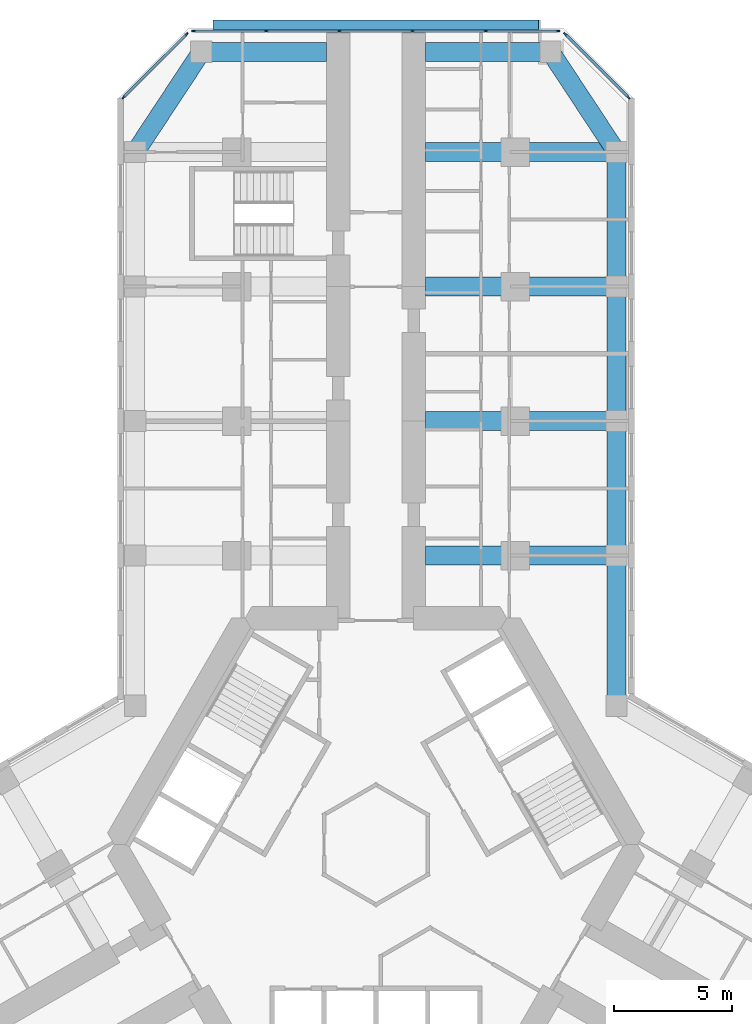
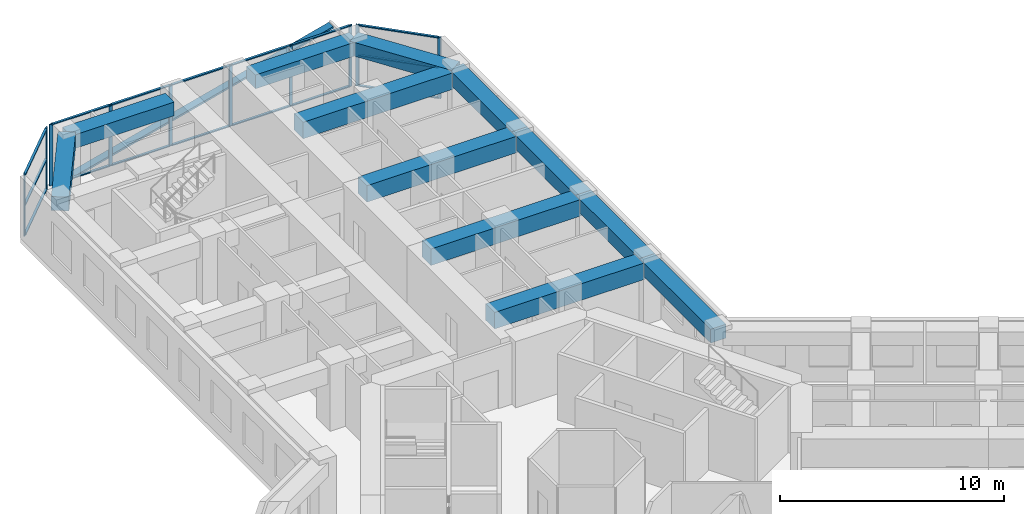
# One storey, part 7 of 21: 27 members, 12 beams, 3 elements without a shape of their own.
"""IFC4 building model written with IfcOpenShell, lengths in metres."""

from ifc_helpers import new_model, si_unit, direction, frame, origin, origin_2d, place, context, subcontext, project, spatial, rectangle, extrude, material, material_profile, profile_set, type_object, element, aggregate, save


model = new_model("IFC4")

# Units and contexts
model_context = context("Model", 3, precision=1e-05, world=origin(), true_north=direction((0.0, 1.0)))
body_context = subcontext(model_context, "Body", "Model", "MODEL_VIEW")
ifc_project = project(units=[si_unit("LENGTHUNIT", "METRE"), si_unit("AREAUNIT", "SQUARE_METRE"), si_unit("VOLUMEUNIT", "CUBIC_METRE"), si_unit("PLANEANGLEUNIT", "RADIAN"), si_unit("MASSUNIT", "GRAM", prefix="KILO")], contexts=[model_context])

# Site, building, storey
site_placement = place(None, origin())
site = spatial("IfcSite", under=ifc_project, at=site_placement, CompositionType="ELEMENT")
building_placement = place(site_placement, origin())
building = spatial("IfcBuilding", under=site, at=building_placement, Name="Kosmar Iwan School Tower", CompositionType="ELEMENT")
storey_placement = place(building_placement, frame((0.0, 0.0, 88.0)))
storey = spatial("IfcBuildingStorey", under=building, at=storey_placement, Name="L21", CompositionType="ELEMENT", Elevation=88.0)

# Member
ifc_material_1 = material(Name="Black anodised aluminium", Category="aluminium")
ifc_material_profile_1 = material_profile(ifc_material_1, rectangle(XDim=0.10009765625, YDim=0.39990234375, at=origin_2d()), Name="FIN 100x400")
ifc_profile_set_1 = profile_set([ifc_material_profile_1], Name="Black anodised aluminium")
member_type_1 = type_object("IfcMemberType", Name="Diagonal fin 100x400", PredefinedType="USERDEFINED", material=ifc_profile_set_1)
member_1_placement = place(storey_placement, frame((-6.898193359375, 34.75, -0.14990234375), z_axis=(0.967603633438, 0.0, 0.252474174041), x_axis=(-0.252474174041, 0.0, 0.967603633438)))
element("IfcMember", 1, at=member_1_placement, inside=storey, type_object=member_type_1, Name="Diagonal fin L21-F08", ObjectType="FIN", PredefinedType="USERDEFINED", context=body_context, shape_type="SweptSolid", body=[
    extrude(rectangle(XDim=0.10009765625, YDim=0.39990234375, at=origin_2d()), origin(), (0.0, 0.0, 1.0), 14.25830078125),
])

# Curtain wall, members
ifc_material_2 = material(Name="Dark glass in black aluminium frame", Category="aluminium")
curtain_wall_type_1 = type_object("IfcCurtainWallType", Name="Chamfer curtain wall dark glass", PredefinedType="USERDEFINED", material=ifc_material_2)
curtain_wall_1_placement = place(storey_placement, origin())
curtain_wall_1 = element("IfcCurtainWall", 2, at=curtain_wall_1_placement, inside=storey, type_object=curtain_wall_type_1, Name="Curtain wall L21-F07", ObjectType="FACETED CURTAIN WALL", PredefinedType="USERDEFINED")
ifc_material_3 = material(Name="Black anodised aluminium", Category="aluminium")
ifc_material_profile_2 = material_profile(ifc_material_3, rectangle(XDim=0.06005859375, YDim=0.159912109375, at=origin_2d()), Name="MULLION 60x160")
ifc_profile_set_2 = profile_set([ifc_material_profile_2], Name="Black anodised aluminium")
member_type_2 = type_object("IfcMemberType", Name="Mullion 60x160", PredefinedType="MULLION", material=ifc_profile_set_2)
member_2_placement = place(storey_placement, frame((10.69775390625, 31.675537109375, 0.0), z_axis=(0.0, 0.0, 1.0), x_axis=(-0.707106781187, -0.707106781187, 0.0)))
member_2 = element("IfcMember", 3, at=member_2_placement, type_object=member_type_2, Name="CW2 mullion 1", PredefinedType="MULLION", context=body_context, shape_type="SweptSolid", body=[
    extrude(rectangle(XDim=0.06005859375, YDim=0.159912109375, at=origin_2d()), origin(), (0.0, 0.0, 1.0), 3.35009765625),
])
member_3_placement = place(storey_placement, frame((8.025390625, 34.34765625, 0.0), z_axis=(0.0, 0.0, 1.0), x_axis=(-0.707106781187, -0.707106781187, 0.0)))
member_3 = element("IfcMember", 4, at=member_3_placement, type_object=member_type_2, Name="CW2 mullion 2", PredefinedType="MULLION", context=body_context, shape_type="SweptSolid", body=[
    extrude(rectangle(XDim=0.06005859375, YDim=0.159912109375, at=origin_2d()), origin(), (0.0, 0.0, 1.0), 3.35009765625),
])

ifc_material_4 = material(Name="Dark glass in black aluminium frame", Category="aluminium")
curtain_wall_type_2 = type_object("IfcCurtainWallType", Name="Tower curtain wall dark glass", PredefinedType="USERDEFINED", material=ifc_material_4)
curtain_wall_2_placement = place(storey_placement, origin())
curtain_wall_2 = element("IfcCurtainWall", 5, at=curtain_wall_2_placement, inside=storey, type_object=curtain_wall_type_2, Name="Curtain wall L21-F08", ObjectType="UNITISED CURTAIN WALL", PredefinedType="USERDEFINED")
member_4_placement = place(storey_placement, frame((7.71826171875, 34.47509765625, 0.0), z_axis=(0.0, 0.0, 1.0), x_axis=(0.0, -1.0, 0.0)))
member_4 = element("IfcMember", 6, at=member_4_placement, type_object=member_type_2, Name="CW1 mullion 1", PredefinedType="MULLION", context=body_context, shape_type="SweptSolid", body=[
    extrude(rectangle(XDim=0.06005859375, YDim=0.159912109375, at=origin_2d()), origin(), (0.0, 0.0, 1.0), 3.35009765625),
])
member_5_placement = place(storey_placement, frame((4.64892578125, 34.47509765625, 0.0), z_axis=(0.0, 0.0, 1.0), x_axis=(0.0, -1.0, 0.0)))
member_5 = element("IfcMember", 7, at=member_5_placement, type_object=member_type_2, Name="CW1 mullion 2", PredefinedType="MULLION", context=body_context, shape_type="SweptSolid", body=[
    extrude(rectangle(XDim=0.06005859375, YDim=0.159912109375, at=origin_2d()), origin(), (0.0, 0.0, 1.0), 3.35009765625),
])
member_6_placement = place(storey_placement, frame((1.549560546875, 34.47509765625, 0.0), z_axis=(0.0, 0.0, 1.0), x_axis=(0.0, -1.0, 0.0)))
member_6 = element("IfcMember", 8, at=member_6_placement, type_object=member_type_2, Name="CW1 mullion 3", PredefinedType="MULLION", context=body_context, shape_type="SweptSolid", body=[
    extrude(rectangle(XDim=0.06005859375, YDim=0.159912109375, at=origin_2d()), origin(), (0.0, 0.0, 1.0), 3.35009765625),
])
member_7_placement = place(storey_placement, frame((-1.549560546875, 34.47509765625, 0.0), z_axis=(0.0, 0.0, 1.0), x_axis=(0.0, -1.0, 0.0)))
member_7 = element("IfcMember", 9, at=member_7_placement, type_object=member_type_2, Name="CW1 mullion 4", PredefinedType="MULLION", context=body_context, shape_type="SweptSolid", body=[
    extrude(rectangle(XDim=0.06005859375, YDim=0.159912109375, at=origin_2d()), origin(), (0.0, 0.0, 1.0), 3.35009765625),
])
member_8_placement = place(storey_placement, frame((-4.64892578125, 34.47509765625, 0.0), z_axis=(0.0, 0.0, 1.0), x_axis=(0.0, -1.0, 0.0)))
member_8 = element("IfcMember", 10, at=member_8_placement, type_object=member_type_2, Name="CW1 mullion 5", PredefinedType="MULLION", context=body_context, shape_type="SweptSolid", body=[
    extrude(rectangle(XDim=0.06005859375, YDim=0.159912109375, at=origin_2d()), origin(), (0.0, 0.0, 1.0), 3.35009765625),
])
member_9_placement = place(storey_placement, frame((-7.71826171875, 34.47509765625, 0.0), z_axis=(0.0, 0.0, 1.0), x_axis=(0.0, -1.0, 0.0)))
member_9 = element("IfcMember", 11, at=member_9_placement, type_object=member_type_2, Name="CW1 mullion 6", PredefinedType="MULLION", context=body_context, shape_type="SweptSolid", body=[
    extrude(rectangle(XDim=0.06005859375, YDim=0.159912109375, at=origin_2d()), origin(), (0.0, 0.0, 1.0), 3.35009765625),
])

curtain_wall_3_placement = place(storey_placement, origin())
curtain_wall_3 = element("IfcCurtainWall", 12, at=curtain_wall_3_placement, inside=storey, type_object=curtain_wall_type_1, Name="Curtain wall L21-F09", ObjectType="FACETED CURTAIN WALL", PredefinedType="USERDEFINED")
member_10_placement = place(storey_placement, frame((-8.025390625, 34.34765625, 0.0), z_axis=(0.0, 0.0, 1.0), x_axis=(0.707106781187, -0.707106781187, 0.0)))
member_10 = element("IfcMember", 13, at=member_10_placement, type_object=member_type_2, Name="CW2 mullion 1", PredefinedType="MULLION", context=body_context, shape_type="SweptSolid", body=[
    extrude(rectangle(XDim=0.06005859375, YDim=0.159912109375, at=origin_2d()), origin(), (0.0, 0.0, 1.0), 3.35009765625),
])
member_11_placement = place(storey_placement, frame((-10.69775390625, 31.675537109375, 0.0), z_axis=(0.0, 0.0, 1.0), x_axis=(0.707106781187, -0.707106781187, 0.0)))
member_11 = element("IfcMember", 14, at=member_11_placement, type_object=member_type_2, Name="CW2 mullion 2", PredefinedType="MULLION", context=body_context, shape_type="SweptSolid", body=[
    extrude(rectangle(XDim=0.06005859375, YDim=0.159912109375, at=origin_2d()), origin(), (0.0, 0.0, 1.0), 3.35009765625),
])

# Beams
ifc_material_5 = material(Name="Concrete C50/60", Category="concrete")
ifc_material_profile_3 = material_profile(ifc_material_5, rectangle(XDim=0.800048828125, YDim=0.75, at=origin_2d()), Name="RC 800x750")
ifc_profile_set_3 = profile_set([ifc_material_profile_3], Name="Concrete C50/60")
beam_type_1 = type_object("IfcBeamType", Name="RC edge beam 800x750", PredefinedType="BEAM", material=ifc_profile_set_3)
beam_1_placement = place(storey_placement, frame((10.199951171875, 5.888916015625, 2.97509765625), z_axis=(0.0, 1.0, 0.0), x_axis=(-1.0, 0.0, 0.0)))
element("IfcBeam", 15, at=beam_1_placement, inside=storey, type_object=beam_type_1, Name="Edge beam AR1", PredefinedType="BEAM", context=body_context, shape_type="SweptSolid", body=[
    extrude(rectangle(XDim=0.800048828125, YDim=0.75, at=origin_2d()), origin(), (0.0, 0.0, 1.0), 6.361083984375),
])
for number, where, z_axis, x_axis, name in (
    (16, (10.199951171875, 12.25, 2.97509765625), (0.0, 1.0, 0.0), (-1.0, 0.0, 0.0), "Edge beam AR2"),
    (17, (10.199951171875, 17.949951171875, 2.97509765625), (0.0, 1.0, 0.0), (-1.0, 0.0, 0.0), "Edge beam AR3"),
):
    element("IfcBeam", number, at=place(storey_placement, frame(where, z_axis=z_axis, x_axis=x_axis)), inside=storey, type_object=beam_type_1, Name=name, PredefinedType="BEAM", context=body_context, shape_type="SweptSolid", body=[
        extrude(rectangle(XDim=0.800048828125, YDim=0.75, at=origin_2d()), origin(), (0.0, 0.0, 1.0), 5.699951171875),
    ])
beam_2_placement = place(storey_placement, frame((10.199951171875, 23.64990234375, 2.97509765625), z_axis=(0.0, 1.0, 0.0), x_axis=(-1.0, 0.0, 0.0)))
element("IfcBeam", 18, at=beam_2_placement, inside=storey, type_object=beam_type_1, Name="Edge beam AR4", PredefinedType="BEAM", context=body_context, shape_type="SweptSolid", body=[
    extrude(rectangle(XDim=0.800048828125, YDim=0.75, at=origin_2d()), origin(), (0.0, 0.0, 1.0), 5.7001953125),
])
ifc_material_6 = material(Name="Concrete C50/60", Category="concrete")
ifc_material_profile_4 = material_profile(ifc_material_6, rectangle(XDim=0.800048828125, YDim=0.75, at=origin_2d()), Name="RC 800x750")
ifc_profile_set_4 = profile_set([ifc_material_profile_4], Name="Concrete C50/60")
beam_type_2 = type_object("IfcBeamType", Name="RC tip beam 800x750", PredefinedType="BEAM", material=ifc_profile_set_4)
beam_3_placement = place(storey_placement, frame((-10.199951171875, 29.35009765625, 2.97509765625), z_axis=(0.550164383043, 0.835056376319, 0.0), x_axis=(-0.835056376319, 0.550164383043, 0.0)))
element("IfcBeam", 19, at=beam_3_placement, inside=storey, type_object=beam_type_2, Name="Tip beam AL", PredefinedType="BEAM", context=body_context, shape_type="SweptSolid", body=[
    extrude(rectangle(XDim=0.800048828125, YDim=0.75, at=origin_2d()), origin(), (0.0, 0.0, 1.0), 5.08935546875),
])
beam_4_placement = place(storey_placement, frame((-7.39990234375, 33.60009765625, 2.97509765625), z_axis=(1.0, 0.0, 0.0), x_axis=(0.0, 1.0, 0.0)))
element("IfcBeam", 20, at=beam_4_placement, inside=storey, type_object=beam_type_2, Name="Tip beam AL to corridor wall", PredefinedType="BEAM", context=body_context, shape_type="SweptSolid", body=[
    extrude(rectangle(XDim=0.800048828125, YDim=0.75, at=origin_2d()), origin(), (0.0, 0.0, 1.0), 5.2998046875),
])
beam_5_placement = place(storey_placement, frame((10.199951171875, 29.35009765625, 2.97509765625), z_axis=(-0.550164383043, 0.835056376319, 0.0), x_axis=(-0.835056376319, -0.550164383043, 0.0)))
element("IfcBeam", 21, at=beam_5_placement, inside=storey, type_object=beam_type_2, Name="Tip beam AR", PredefinedType="BEAM", context=body_context, shape_type="SweptSolid", body=[
    extrude(rectangle(XDim=0.800048828125, YDim=0.75, at=origin_2d()), origin(), (0.0, 0.0, 1.0), 5.08935546875),
])
beam_6_placement = place(storey_placement, frame((7.39990234375, 33.60009765625, 2.97509765625), z_axis=(-1.0, 0.0, 0.0), x_axis=(0.0, -1.0, 0.0)))
element("IfcBeam", 22, at=beam_6_placement, inside=storey, type_object=beam_type_2, Name="Tip beam AR to corridor wall", PredefinedType="BEAM", context=body_context, shape_type="SweptSolid", body=[
    extrude(rectangle(XDim=0.800048828125, YDim=0.75, at=origin_2d()), origin(), (0.0, 0.0, 1.0), 5.2998046875),
])
ifc_material_7 = material(Name="Concrete C50/60", Category="concrete")
ifc_material_profile_5 = material_profile(ifc_material_7, rectangle(XDim=0.800048828125, YDim=0.89990234375, at=origin_2d()), Name="RC 800x900")
ifc_profile_set_5 = profile_set([ifc_material_profile_5], Name="Concrete C50/60")
beam_type_3 = type_object("IfcBeamType", Name="RC transverse beam 800x900", PredefinedType="BEAM", material=ifc_profile_set_5)
for number, where, z_axis, x_axis, name in (
    (23, (10.199951171875, 12.25, 2.89990234375), (-1.0, 0.0, 0.0), (0.0, -1.0, 0.0), "Transverse beam AR1"),
    (24, (10.199951171875, 17.949951171875, 2.89990234375), (-1.0, 0.0, 0.0), (0.0, -1.0, 0.0), "Transverse beam AR2"),
    (25, (10.199951171875, 23.64990234375, 2.89990234375), (-1.0, 0.0, 0.0), (0.0, -1.0, 0.0), "Transverse beam AR3"),
    (26, (10.199951171875, 29.35009765625, 2.89990234375), (-1.0, 0.0, 0.0), (0.0, -1.0, 0.0), "Transverse beam AR4"),
):
    element("IfcBeam", number, at=place(storey_placement, frame(where, z_axis=z_axis, x_axis=x_axis)), inside=storey, type_object=beam_type_3, Name=name, PredefinedType="BEAM", context=body_context, shape_type="SweptSolid", body=[
        extrude(rectangle(XDim=0.800048828125, YDim=0.89990234375, at=origin_2d()), origin(), (0.0, 0.0, 1.0), 8.099853515625),
    ])

# Member
ifc_material_8 = material(Name="Black anodised aluminium", Category="aluminium")
ifc_material_profile_6 = material_profile(ifc_material_8, rectangle(XDim=0.1201171875, YDim=0.06005859375, at=origin_2d()), Name="TRANSOM 60x120")
ifc_profile_set_6 = profile_set([ifc_material_profile_6], Name="Black anodised aluminium")
member_type_3 = type_object("IfcMemberType", Name="Transom 60x120", PredefinedType="USERDEFINED", material=ifc_profile_set_6)
member_12_placement = place(storey_placement, frame((10.676513671875, 31.69677734375, 0.030029296875), z_axis=(-0.707139603466, 0.707073957383, 0.0), x_axis=(-0.707073957383, -0.707139603466, 0.0)))
member_12 = element("IfcMember", 27, at=member_12_placement, type_object=member_type_3, Name="CW2 transom 1.1", ObjectType="TRANSOM", PredefinedType="USERDEFINED", context=body_context, shape_type="SweptSolid", body=[
    extrude(rectangle(XDim=0.1201171875, YDim=0.06005859375, at=origin_2d()), origin(), (0.0, 0.0, 1.0), 3.718994140625),
])

member_13_placement = place(storey_placement, frame((10.676513671875, 31.69677734375, 1.675048828125), z_axis=(-0.707139603466, 0.707073957383, 0.0), x_axis=(-0.707073957383, -0.707139603466, 0.0)))
member_13 = element("IfcMember", 28, at=member_13_placement, type_object=member_type_3, Name="CW2 transom 1.2", ObjectType="TRANSOM", PredefinedType="USERDEFINED", context=body_context, shape_type="SweptSolid", body=[
    extrude(rectangle(XDim=0.1201171875, YDim=0.06005859375, at=origin_2d()), origin(), (0.0, 0.0, 1.0), 3.718994140625),
])

member_14_placement = place(storey_placement, frame((10.676513671875, 31.69677734375, 3.320068359375), z_axis=(-0.707139603466, 0.707073957383, 0.0), x_axis=(-0.707073957383, -0.707139603466, 0.0)))
member_14 = element("IfcMember", 29, at=member_14_placement, type_object=member_type_3, Name="CW2 transom 1.3", ObjectType="TRANSOM", PredefinedType="USERDEFINED", context=body_context, shape_type="SweptSolid", body=[
    extrude(rectangle(XDim=0.1201171875, YDim=0.06005859375, at=origin_2d()), origin(), (0.0, 0.0, 1.0), 3.718994140625),
])

aggregate(curtain_wall_1, [member_2, member_3, member_12, member_13, member_14])

member_15_placement = place(storey_placement, frame((7.688232421875, 34.47509765625, 0.030029296875), z_axis=(-1.0, 0.0, 0.0), x_axis=(0.0, -1.0, 0.0)))
member_15 = element("IfcMember", 30, at=member_15_placement, type_object=member_type_3, Name="CW1 transom 1.1", ObjectType="TRANSOM", PredefinedType="USERDEFINED", context=body_context, shape_type="SweptSolid", body=[
    extrude(rectangle(XDim=0.1201171875, YDim=0.06005859375, at=origin_2d()), origin(), (0.0, 0.0, 1.0), 3.00927734375),
])

member_16_placement = place(storey_placement, frame((7.688232421875, 34.47509765625, 3.320068359375), z_axis=(-1.0, 0.0, 0.0), x_axis=(0.0, -1.0, 0.0)))
member_16 = element("IfcMember", 31, at=member_16_placement, type_object=member_type_3, Name="CW1 transom 1.2", ObjectType="TRANSOM", PredefinedType="USERDEFINED", context=body_context, shape_type="SweptSolid", body=[
    extrude(rectangle(XDim=0.1201171875, YDim=0.06005859375, at=origin_2d()), origin(), (0.0, 0.0, 1.0), 3.00927734375),
])

member_17_placement = place(storey_placement, frame((4.618896484375, 34.47509765625, 0.030029296875), z_axis=(-1.0, 0.0, 0.0), x_axis=(0.0, -1.0, 0.0)))
member_17 = element("IfcMember", 32, at=member_17_placement, type_object=member_type_3, Name="CW1 transom 2.1", ObjectType="TRANSOM", PredefinedType="USERDEFINED", context=body_context, shape_type="SweptSolid", body=[
    extrude(rectangle(XDim=0.1201171875, YDim=0.06005859375, at=origin_2d()), origin(), (0.0, 0.0, 1.0), 3.039306640625),
])

member_18_placement = place(storey_placement, frame((4.618896484375, 34.47509765625, 3.320068359375), z_axis=(-1.0, 0.0, 0.0), x_axis=(0.0, -1.0, 0.0)))
member_18 = element("IfcMember", 33, at=member_18_placement, type_object=member_type_3, Name="CW1 transom 2.2", ObjectType="TRANSOM", PredefinedType="USERDEFINED", context=body_context, shape_type="SweptSolid", body=[
    extrude(rectangle(XDim=0.1201171875, YDim=0.06005859375, at=origin_2d()), origin(), (0.0, 0.0, 1.0), 3.039306640625),
])

member_19_placement = place(storey_placement, frame((1.51953125, 34.47509765625, 0.030029296875), z_axis=(-1.0, 0.0, 0.0), x_axis=(0.0, -1.0, 0.0)))
member_19 = element("IfcMember", 34, at=member_19_placement, type_object=member_type_3, Name="CW1 transom 3.1", ObjectType="TRANSOM", PredefinedType="USERDEFINED", context=body_context, shape_type="SweptSolid", body=[
    extrude(rectangle(XDim=0.1201171875, YDim=0.06005859375, at=origin_2d()), origin(), (0.0, 0.0, 1.0), 3.0390625),
])

member_20_placement = place(storey_placement, frame((1.51953125, 34.47509765625, 3.320068359375), z_axis=(-1.0, 0.0, 0.0), x_axis=(0.0, -1.0, 0.0)))
member_20 = element("IfcMember", 35, at=member_20_placement, type_object=member_type_3, Name="CW1 transom 3.2", ObjectType="TRANSOM", PredefinedType="USERDEFINED", context=body_context, shape_type="SweptSolid", body=[
    extrude(rectangle(XDim=0.1201171875, YDim=0.06005859375, at=origin_2d()), origin(), (0.0, 0.0, 1.0), 3.0390625),
])

member_21_placement = place(storey_placement, frame((-1.57958984375, 34.47509765625, 0.030029296875), z_axis=(-1.0, 0.0, 0.0), x_axis=(0.0, -1.0, 0.0)))
member_21 = element("IfcMember", 36, at=member_21_placement, type_object=member_type_3, Name="CW1 transom 4.1", ObjectType="TRANSOM", PredefinedType="USERDEFINED", context=body_context, shape_type="SweptSolid", body=[
    extrude(rectangle(XDim=0.1201171875, YDim=0.06005859375, at=origin_2d()), origin(), (0.0, 0.0, 1.0), 3.039306640625),
])

member_22_placement = place(storey_placement, frame((-1.57958984375, 34.47509765625, 3.320068359375), z_axis=(-1.0, 0.0, 0.0), x_axis=(0.0, -1.0, 0.0)))
member_22 = element("IfcMember", 37, at=member_22_placement, type_object=member_type_3, Name="CW1 transom 4.2", ObjectType="TRANSOM", PredefinedType="USERDEFINED", context=body_context, shape_type="SweptSolid", body=[
    extrude(rectangle(XDim=0.1201171875, YDim=0.06005859375, at=origin_2d()), origin(), (0.0, 0.0, 1.0), 3.039306640625),
])

member_23_placement = place(storey_placement, frame((-4.678955078125, 34.47509765625, 0.030029296875), z_axis=(-1.0, 0.0, 0.0), x_axis=(0.0, -1.0, 0.0)))
member_23 = element("IfcMember", 38, at=member_23_placement, type_object=member_type_3, Name="CW1 transom 5.1", ObjectType="TRANSOM", PredefinedType="USERDEFINED", context=body_context, shape_type="SweptSolid", body=[
    extrude(rectangle(XDim=0.1201171875, YDim=0.06005859375, at=origin_2d()), origin(), (0.0, 0.0, 1.0), 3.00927734375),
])

member_24_placement = place(storey_placement, frame((-4.678955078125, 34.47509765625, 3.320068359375), z_axis=(-1.0, 0.0, 0.0), x_axis=(0.0, -1.0, 0.0)))
member_24 = element("IfcMember", 39, at=member_24_placement, type_object=member_type_3, Name="CW1 transom 5.2", ObjectType="TRANSOM", PredefinedType="USERDEFINED", context=body_context, shape_type="SweptSolid", body=[
    extrude(rectangle(XDim=0.1201171875, YDim=0.06005859375, at=origin_2d()), origin(), (0.0, 0.0, 1.0), 3.00927734375),
])

aggregate(curtain_wall_2, [member_4, member_5, member_6, member_7, member_8, member_9, member_15, member_16, member_17, member_18, member_19, member_20, member_21, member_22, member_23, member_24])

member_25_placement = place(storey_placement, frame((-8.046630859375, 34.326416015625, 0.030029296875), z_axis=(-0.707139603466, -0.707073957383, 0.0), x_axis=(0.707073957383, -0.707139603466, 0.0)))
member_25 = element("IfcMember", 40, at=member_25_placement, type_object=member_type_3, Name="CW2 transom 1.1", ObjectType="TRANSOM", PredefinedType="USERDEFINED", context=body_context, shape_type="SweptSolid", body=[
    extrude(rectangle(XDim=0.1201171875, YDim=0.06005859375, at=origin_2d()), origin(), (0.0, 0.0, 1.0), 3.718994140625),
])

member_26_placement = place(storey_placement, frame((-8.046630859375, 34.326416015625, 1.675048828125), z_axis=(-0.707139603466, -0.707073957383, 0.0), x_axis=(0.707073957383, -0.707139603466, 0.0)))
member_26 = element("IfcMember", 41, at=member_26_placement, type_object=member_type_3, Name="CW2 transom 1.2", ObjectType="TRANSOM", PredefinedType="USERDEFINED", context=body_context, shape_type="SweptSolid", body=[
    extrude(rectangle(XDim=0.1201171875, YDim=0.06005859375, at=origin_2d()), origin(), (0.0, 0.0, 1.0), 3.718994140625),
])

member_27_placement = place(storey_placement, frame((-8.046630859375, 34.326416015625, 3.320068359375), z_axis=(-0.707139603466, -0.707073957383, 0.0), x_axis=(0.707073957383, -0.707139603466, 0.0)))
member_27 = element("IfcMember", 42, at=member_27_placement, type_object=member_type_3, Name="CW2 transom 1.3", ObjectType="TRANSOM", PredefinedType="USERDEFINED", context=body_context, shape_type="SweptSolid", body=[
    extrude(rectangle(XDim=0.1201171875, YDim=0.06005859375, at=origin_2d()), origin(), (0.0, 0.0, 1.0), 3.718994140625),
])

aggregate(curtain_wall_3, [member_10, member_11, member_25, member_26, member_27])

save(model, "model.ifc")
